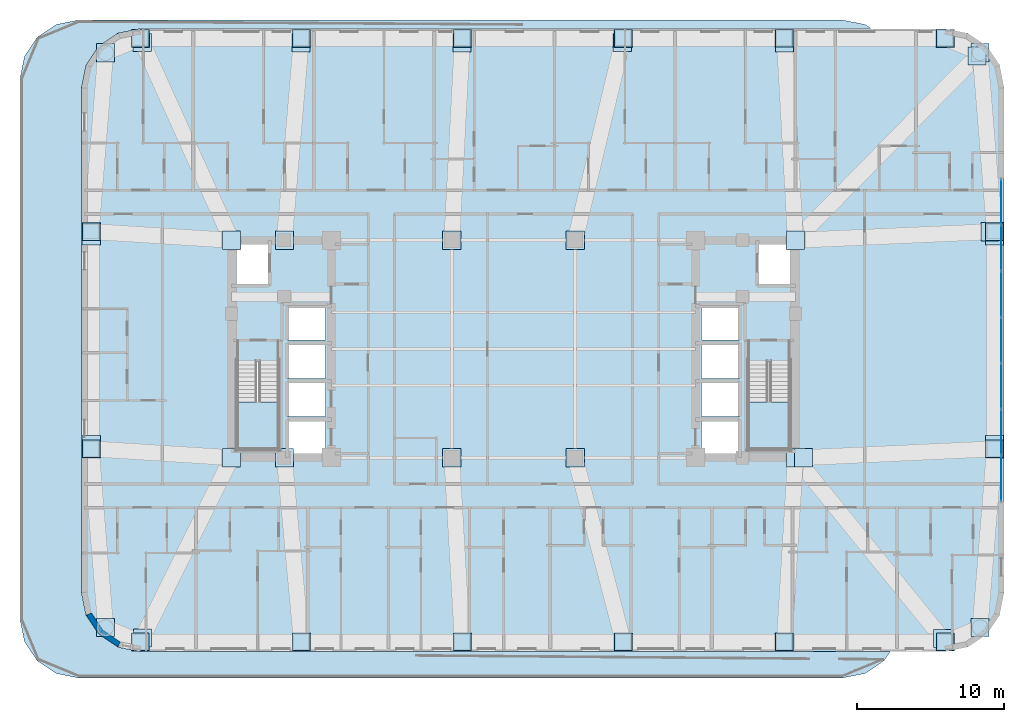
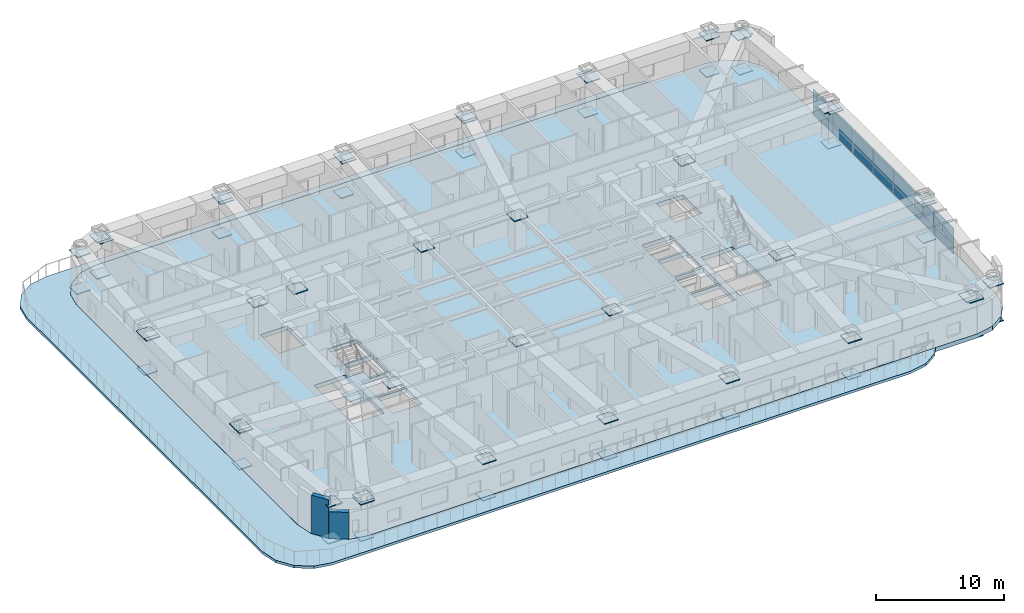
# One storey, part 5 of 18: 78 plates, 4 slabs, 2 walls, 3 elements without a shape of their own.
"""IFC4 building model written with IfcOpenShell, lengths in metres."""

from ifc_helpers import new_model, si_unit, direction, frame, frame_2d, origin, origin_2d, place, context, subcontext, project, spatial, polyline, rectangle, outline, extrude, material, layer, layer_set, type_object, element, aggregate, save


model = new_model("IFC4")

# Units and contexts
model_context = context("Model", 3, precision=1e-05, world=origin(), true_north=direction((0.0, 1.0)))
body_context = subcontext(model_context, "Body", "Model", "MODEL_VIEW")
ifc_project = project(units=[si_unit("LENGTHUNIT", "METRE"), si_unit("AREAUNIT", "SQUARE_METRE"), si_unit("VOLUMEUNIT", "CUBIC_METRE"), si_unit("PLANEANGLEUNIT", "RADIAN"), si_unit("MASSUNIT", "GRAM", prefix="KILO")], contexts=[model_context])

# Site, building, storey
site_placement = place(None, origin())
site = spatial("IfcSite", under=ifc_project, at=site_placement, CompositionType="ELEMENT")
building_placement = place(site_placement, origin())
building = spatial("IfcBuilding", under=site, at=building_placement, Name="Voryun Gate Residences", CompositionType="ELEMENT")
storey_placement = place(building_placement, frame((0.0, 0.0, 85.800048828125)))
storey = spatial("IfcBuildingStorey", under=building, at=storey_placement, Name="L20", CompositionType="ELEMENT", Elevation=85.800048828125)

# Plates
ifc_material_1 = material(Name="Steel SM355", Category="steel")
ifc_layer_1 = layer(ifc_material_1, 0.02490234375, Name="PLT_END_CAP_25")
ifc_layer_set_1 = layer_set([ifc_layer_1], Name="Steel SM355")
plate_type_1 = type_object("IfcPlateType", Name="PLT_END_CAP_25", PredefinedType="USERDEFINED", material=ifc_layer_set_1)
for number, where, z_axis, x_axis, name in (
    (1, (-25.39990234375, -19.949951171875, -0.440185546875), (0.0, 0.0, 1.0), (1.0, 0.0, 0.0), "L20 Hollow Member End-Cap Plate EC-262"),
    (2, (-14.43994140625, -19.949951171875, -0.440185546875), (0.0, 0.0, 1.0), (1.0, 0.0, 0.0), "L20 Hollow Member End-Cap Plate EC-263"),
    (3, (-3.47998046875, -19.949951171875, -0.440185546875), (0.0, 0.0, 1.0), (1.0, 0.0, 0.0), "L20 Hollow Member End-Cap Plate EC-264"),
    (4, (7.47998046875, -19.949951171875, -0.440185546875), (0.0, 0.0, 1.0), (1.0, 0.0, 0.0), "L20 Hollow Member End-Cap Plate EC-265"),
    (5, (18.43994140625, -19.949951171875, -0.440185546875), (0.0, 0.0, 1.0), (1.0, 0.0, 0.0), "L20 Hollow Member End-Cap Plate EC-266"),
    (6, (29.39990234375, -19.949951171875, -0.440185546875), (0.0, 0.0, 1.0), (1.0, 0.0, 0.0), "L20 Hollow Member End-Cap Plate EC-267"),
):
    element("IfcPlate", number, at=place(storey_placement, frame(where, z_axis=z_axis, x_axis=x_axis)), inside=storey, type_object=plate_type_1, Name=name, ObjectType="BASE_PLATE", PredefinedType="USERDEFINED", context=body_context, shape_type="SweptSolid", body=[
        extrude(rectangle(XDim=1.18994140625, YDim=1.18994140625, at=origin_2d()), origin(), (0.0, 0.0, 1.0), 0.080078125),
    ])
plate_1_placement = place(storey_placement, frame((31.768798828125, -18.96875, -0.440185546875), z_axis=(0.0, 0.0, 1.0), x_axis=(1.0, 0.0, 0.0)))
element("IfcPlate", 7, at=plate_1_placement, inside=storey, type_object=plate_type_1, Name="L20 Hollow Member End-Cap Plate EC-268", ObjectType="BASE_PLATE", PredefinedType="USERDEFINED", context=body_context, shape_type="SweptSolid", body=[
    extrude(rectangle(XDim=1.239990234375, YDim=1.239990234375, at=origin_2d()), origin(), (0.0, 0.0, 1.0), 0.080078125),
])
for number, where, z_axis, x_axis, name in (
    (8, (32.75, -6.798095703125, -0.440185546875), (0.0, 0.0, 1.0), (1.0, 0.0, 0.0), "L20 Hollow Member End-Cap Plate EC-269"),
    (9, (32.75, 7.998046875, -0.440185546875), (0.0, 0.0, 1.0), (1.0, 0.0, 0.0), "L20 Hollow Member End-Cap Plate EC-270"),
):
    element("IfcPlate", number, at=place(storey_placement, frame(where, z_axis=z_axis, x_axis=x_axis)), inside=storey, type_object=plate_type_1, Name=name, ObjectType="BASE_PLATE", PredefinedType="USERDEFINED", context=body_context, shape_type="SweptSolid", body=[
        extrude(rectangle(XDim=1.18994140625, YDim=1.18994140625, at=origin_2d()), origin(), (0.0, 0.0, 1.0), 0.080078125),
    ])
plate_2_placement = place(storey_placement, frame((31.768798828125, 20.168701171875, -0.440185546875), z_axis=(0.0, 0.0, 1.0), x_axis=(1.0, 0.0, 0.0)))
element("IfcPlate", 10, at=plate_2_placement, inside=storey, type_object=plate_type_1, Name="L20 Hollow Member End-Cap Plate EC-271", ObjectType="BASE_PLATE", PredefinedType="USERDEFINED", context=body_context, shape_type="SweptSolid", body=[
    extrude(rectangle(XDim=1.239990234375, YDim=1.239990234375, at=origin_2d()), origin(), (0.0, 0.0, 1.0), 0.080078125),
])
for number, where, z_axis, x_axis, name in (
    (11, (29.39990234375, 21.14990234375, -0.440185546875), (0.0, 0.0, 1.0), (1.0, 0.0, 0.0), "L20 Hollow Member End-Cap Plate EC-272"),
    (12, (18.43994140625, 21.14990234375, -0.440185546875), (0.0, 0.0, 1.0), (1.0, 0.0, 0.0), "L20 Hollow Member End-Cap Plate EC-273"),
    (13, (7.47998046875, 21.14990234375, -0.440185546875), (0.0, 0.0, 1.0), (1.0, 0.0, 0.0), "L20 Hollow Member End-Cap Plate EC-274"),
    (14, (-3.47998046875, 21.14990234375, -0.440185546875), (0.0, 0.0, 1.0), (1.0, 0.0, 0.0), "L20 Hollow Member End-Cap Plate EC-275"),
    (15, (-14.43994140625, 21.14990234375, -0.440185546875), (0.0, 0.0, 1.0), (1.0, 0.0, 0.0), "L20 Hollow Member End-Cap Plate EC-276"),
    (16, (-25.39990234375, 21.14990234375, -0.440185546875), (0.0, 0.0, 1.0), (1.0, 0.0, 0.0), "L20 Hollow Member End-Cap Plate EC-277"),
):
    element("IfcPlate", number, at=place(storey_placement, frame(where, z_axis=z_axis, x_axis=x_axis)), inside=storey, type_object=plate_type_1, Name=name, ObjectType="BASE_PLATE", PredefinedType="USERDEFINED", context=body_context, shape_type="SweptSolid", body=[
        extrude(rectangle(XDim=1.18994140625, YDim=1.18994140625, at=origin_2d()), origin(), (0.0, 0.0, 1.0), 0.080078125),
    ])
plate_3_placement = place(storey_placement, frame((-27.768798828125, 20.168701171875, -0.440185546875), z_axis=(0.0, 0.0, 1.0), x_axis=(1.0, 0.0, 0.0)))
element("IfcPlate", 17, at=plate_3_placement, inside=storey, type_object=plate_type_1, Name="L20 Hollow Member End-Cap Plate EC-278", ObjectType="BASE_PLATE", PredefinedType="USERDEFINED", context=body_context, shape_type="SweptSolid", body=[
    extrude(rectangle(XDim=1.239990234375, YDim=1.239990234375, at=origin_2d()), origin(), (0.0, 0.0, 1.0), 0.080078125),
])
for number, where, z_axis, x_axis, name in (
    (18, (-28.75, 7.998046875, -0.440185546875), (0.0, 0.0, 1.0), (1.0, 0.0, 0.0), "L20 Hollow Member End-Cap Plate EC-279"),
    (19, (-28.75, -6.798095703125, -0.440185546875), (0.0, 0.0, 1.0), (1.0, 0.0, 0.0), "L20 Hollow Member End-Cap Plate EC-280"),
):
    element("IfcPlate", number, at=place(storey_placement, frame(where, z_axis=z_axis, x_axis=x_axis)), inside=storey, type_object=plate_type_1, Name=name, ObjectType="BASE_PLATE", PredefinedType="USERDEFINED", context=body_context, shape_type="SweptSolid", body=[
        extrude(rectangle(XDim=1.18994140625, YDim=1.18994140625, at=origin_2d()), origin(), (0.0, 0.0, 1.0), 0.080078125),
    ])
for number, where, z_axis, x_axis, name in (
    (20, (-27.768798828125, -18.96875, -0.440185546875), (0.0, 0.0, 1.0), (1.0, 0.0, 0.0), "L20 Hollow Member End-Cap Plate EC-281"),
    (21, (-25.39990234375, -19.949951171875, 3.059814453125), (0.0, 0.0, 1.0), (1.0, 0.0, 0.0), "L20 Hollow Member End-Cap Plate EC-282"),
    (22, (-14.43994140625, -19.949951171875, 3.059814453125), (0.0, 0.0, 1.0), (1.0, 0.0, 0.0), "L20 Hollow Member End-Cap Plate EC-283"),
    (23, (-3.47998046875, -19.949951171875, 3.059814453125), (0.0, 0.0, 1.0), (1.0, 0.0, 0.0), "L20 Hollow Member End-Cap Plate EC-284"),
    (24, (7.47998046875, -19.949951171875, 3.059814453125), (0.0, 0.0, 1.0), (1.0, 0.0, 0.0), "L20 Hollow Member End-Cap Plate EC-285"),
    (25, (18.43994140625, -19.949951171875, 3.059814453125), (0.0, 0.0, 1.0), (1.0, 0.0, 0.0), "L20 Hollow Member End-Cap Plate EC-286"),
    (26, (29.39990234375, -19.949951171875, 3.059814453125), (0.0, 0.0, 1.0), (1.0, 0.0, 0.0), "L20 Hollow Member End-Cap Plate EC-287"),
    (27, (31.768798828125, -18.96875, 3.059814453125), (0.0, 0.0, 1.0), (1.0, 0.0, 0.0), "L20 Hollow Member End-Cap Plate EC-288"),
    (28, (32.75, -6.798095703125, 3.059814453125), (0.0, 0.0, 1.0), (1.0, 0.0, 0.0), "L20 Hollow Member End-Cap Plate EC-289"),
    (29, (32.75, -6.498046875, 3.059814453125), (0.0, 0.0, 1.0), (1.0, 0.0, 0.0), "L20 Hollow Member End-Cap Plate EC-290"),
    (30, (32.75, 7.697998046875, 3.059814453125), (0.0, 0.0, 1.0), (1.0, 0.0, 0.0), "L20 Hollow Member End-Cap Plate EC-291"),
    (31, (32.75, 7.998046875, 3.059814453125), (0.0, 0.0, 1.0), (1.0, 0.0, 0.0), "L20 Hollow Member End-Cap Plate EC-292"),
    (32, (31.768798828125, 20.168701171875, 3.059814453125), (0.0, 0.0, 1.0), (1.0, 0.0, 0.0), "L20 Hollow Member End-Cap Plate EC-293"),
    (33, (29.39990234375, 21.14990234375, 3.059814453125), (0.0, 0.0, 1.0), (1.0, 0.0, 0.0), "L20 Hollow Member End-Cap Plate EC-294"),
    (34, (18.43994140625, 21.14990234375, 3.059814453125), (0.0, 0.0, 1.0), (1.0, 0.0, 0.0), "L20 Hollow Member End-Cap Plate EC-295"),
    (35, (7.47998046875, 21.14990234375, 3.059814453125), (0.0, 0.0, 1.0), (1.0, 0.0, 0.0), "L20 Hollow Member End-Cap Plate EC-296"),
    (36, (-3.47998046875, 21.14990234375, 3.059814453125), (0.0, 0.0, 1.0), (1.0, 0.0, 0.0), "L20 Hollow Member End-Cap Plate EC-297"),
    (37, (-14.43994140625, 21.14990234375, 3.059814453125), (0.0, 0.0, 1.0), (1.0, 0.0, 0.0), "L20 Hollow Member End-Cap Plate EC-298"),
    (38, (-25.39990234375, 21.14990234375, 3.059814453125), (0.0, 0.0, 1.0), (1.0, 0.0, 0.0), "L20 Hollow Member End-Cap Plate EC-299"),
    (39, (-27.768798828125, 20.168701171875, 3.059814453125), (0.0, 0.0, 1.0), (1.0, 0.0, 0.0), "L20 Hollow Member End-Cap Plate EC-300"),
    (40, (-28.75, 7.998046875, 3.059814453125), (0.0, 0.0, 1.0), (1.0, 0.0, 0.0), "L20 Hollow Member End-Cap Plate EC-301"),
    (41, (-28.75, 7.697998046875, 3.059814453125), (0.0, 0.0, 1.0), (1.0, 0.0, 0.0), "L20 Hollow Member End-Cap Plate EC-302"),
    (42, (-28.75, -6.498046875, 3.059814453125), (0.0, 0.0, 1.0), (1.0, 0.0, 0.0), "L20 Hollow Member End-Cap Plate EC-303"),
    (43, (-28.75, -6.798095703125, 3.059814453125), (0.0, 0.0, 1.0), (1.0, 0.0, 0.0), "L20 Hollow Member End-Cap Plate EC-304"),
    (44, (-27.768798828125, -18.96875, 3.059814453125), (0.0, 0.0, 1.0), (1.0, 0.0, 0.0), "L20 Hollow Member End-Cap Plate EC-305"),
    (45, (-19.199951171875, -7.39990234375, 3.059814453125), (0.0, 0.0, 1.0), (1.0, 0.0, 0.0), "L20 Hollow Member End-Cap Plate EC-306"),
    (46, (-25.26708984375, -19.680908203125, 3.059814453125), (0.0, 0.0, 1.0), (1.0, 0.0, 0.0), "L20 Hollow Member End-Cap Plate EC-307"),
    (47, (-15.60009765625, -7.39990234375, 3.059814453125), (0.0, 0.0, 1.0), (1.0, 0.0, 0.0), "L20 Hollow Member End-Cap Plate EC-308"),
    (48, (-4.199951171875, -7.39990234375, 3.059814453125), (0.0, 0.0, 1.0), (1.0, 0.0, 0.0), "L20 Hollow Member End-Cap Plate EC-309"),
    (49, (4.199951171875, -7.39990234375, 3.059814453125), (0.0, 0.0, 1.0), (1.0, 0.0, 0.0), "L20 Hollow Member End-Cap Plate EC-310"),
    (50, (19.199951171875, -7.39990234375, 3.059814453125), (0.0, 0.0, 1.0), (1.0, 0.0, 0.0), "L20 Hollow Member End-Cap Plate EC-311"),
    (51, (29.210693359375, -19.71728515625, 3.059814453125), (0.0, 0.0, 1.0), (1.0, 0.0, 0.0), "L20 Hollow Member End-Cap Plate EC-312"),
    (52, (19.75, -7.39990234375, 3.059814453125), (0.0, 0.0, 1.0), (1.0, 0.0, 0.0), "L20 Hollow Member End-Cap Plate EC-313"),
    (53, (19.199951171875, 7.39990234375, 3.059814453125), (0.0, 0.0, 1.0), (1.0, 0.0, 0.0), "L20 Hollow Member End-Cap Plate EC-314"),
    (54, (32.4501953125, 7.98486328125, 3.059814453125), (0.0, 0.0, 1.0), (1.0, 0.0, 0.0), "L20 Hollow Member End-Cap Plate EC-315"),
    (55, (31.558349609375, 19.955078125, 3.059814453125), (0.0, 0.0, 1.0), (1.0, 0.0, 0.0), "L20 Hollow Member End-Cap Plate EC-316"),
    (56, (18.45654296875, 20.8505859375, 3.059814453125), (0.0, 0.0, 1.0), (1.0, 0.0, 0.0), "L20 Hollow Member End-Cap Plate EC-317"),
    (57, (4.199951171875, 7.39990234375, 3.059814453125), (0.0, 0.0, 1.0), (1.0, 0.0, 0.0), "L20 Hollow Member End-Cap Plate EC-318"),
    (58, (7.410400390625, 20.858154296875, 3.059814453125), (0.0, 0.0, 1.0), (1.0, 0.0, 0.0), "L20 Hollow Member End-Cap Plate EC-319"),
    (59, (-4.199951171875, 7.39990234375, 3.059814453125), (0.0, 0.0, 1.0), (1.0, 0.0, 0.0), "L20 Hollow Member End-Cap Plate EC-320"),
    (60, (-3.49560546875, 20.850341796875, 3.059814453125), (0.0, 0.0, 1.0), (1.0, 0.0, 0.0), "L20 Hollow Member End-Cap Plate EC-321"),
    (61, (-15.60009765625, 7.39990234375, 3.059814453125), (0.0, 0.0, 1.0), (1.0, 0.0, 0.0), "L20 Hollow Member End-Cap Plate EC-322"),
    (62, (-14.465087890625, 20.85107421875, 3.059814453125), (0.0, 0.0, 1.0), (1.0, 0.0, 0.0), "L20 Hollow Member End-Cap Plate EC-323"),
    (63, (-19.199951171875, 7.39990234375, 3.059814453125), (0.0, 0.0, 1.0), (1.0, 0.0, 0.0), "L20 Hollow Member End-Cap Plate EC-324"),
    (64, (-25.276611328125, 20.87646484375, 3.059814453125), (0.0, 0.0, 1.0), (1.0, 0.0, 0.0), "L20 Hollow Member End-Cap Plate EC-325"),
):
    element("IfcPlate", number, at=place(storey_placement, frame(where, z_axis=z_axis, x_axis=x_axis)), inside=storey, type_object=plate_type_1, Name=name, ObjectType="BASE_PLATE", PredefinedType="USERDEFINED", context=body_context, shape_type="SweptSolid", body=[
        extrude(rectangle(XDim=1.239990234375, YDim=1.239990234375, at=origin_2d()), origin(), (0.0, 0.0, 1.0), 0.080078125),
    ])

# Curtain wall, plates
ifc_material_2 = material(Name="Anodised aluminium", Category="aluminium")
ifc_layer_2 = layer(ifc_material_2, 0.2099609375, Name="CW_SYS_SKYGARDEN_DARK_GLASS")
ifc_layer_set_2 = layer_set([ifc_layer_2], Name="Anodised aluminium")
curtain_wall_type = type_object("IfcCurtainWallType", Name="CW_SYS_SKYGARDEN_DARK_GLASS", PredefinedType="NOTDEFINED", material=ifc_layer_set_2)
curtain_wall_placement = place(storey_placement, origin())
curtain_wall = element("IfcCurtainWall", 65, at=curtain_wall_placement, inside=storey, type_object=curtain_wall_type, Name="Curtain wall CW5-L20-SG-16", PredefinedType="NOTDEFINED")
ifc_material_3 = material(Name="Laminated low-E glass", Category="glass")
ifc_layer_3 = layer(ifc_material_3, 0.0458984375, Name="PLT_GLASS_DARK_SKY")
ifc_layer_set_3 = layer_set([ifc_layer_3], Name="Laminated low-E glass")
plate_type_2 = type_object("IfcPlateType", Name="PLT_GLASS_DARK_SKY", PredefinedType="CURTAIN_PANEL", material=ifc_layer_set_3)
plate_4_placement = place(storey_placement, frame((33.2099609375, 10.01025390625, 0.06005859375), z_axis=(0.0, 0.0, 1.0), x_axis=(0.0, -1.0, 0.0)))
plate_4 = element("IfcPlate", 66, at=plate_4_placement, type_object=plate_type_2, Name="CW5 panel 1.1", PredefinedType="CURTAIN_PANEL", context=body_context, shape_type="SweptSolid", body=[
    extrude(rectangle(XDim=3.0517578125, YDim=0.028076171875, at=origin_2d()), origin(), (0.0, 0.0, 1.0), 0.824462890625),
])
plate_5_placement = place(storey_placement, frame((33.2099609375, 10.01025390625, 0.9443359375), z_axis=(0.0, 0.0, 1.0), x_axis=(0.0, -1.0, 0.0)))
plate_5 = element("IfcPlate", 67, at=plate_5_placement, type_object=plate_type_2, Name="CW5 panel 1.2", PredefinedType="CURTAIN_PANEL", context=body_context, shape_type="SweptSolid", body=[
    extrude(rectangle(XDim=3.0517578125, YDim=0.028076171875, at=origin_2d()), origin(), (0.0, 0.0, 1.0), 1.53564453125),
])
plate_6_placement = place(storey_placement, frame((33.2099609375, 6.883544921875, 0.06005859375), z_axis=(0.0, 0.0, 1.0), x_axis=(0.0, -1.0, 0.0)))
plate_6 = element("IfcPlate", 68, at=plate_6_placement, type_object=plate_type_2, Name="CW5 panel 2.1", PredefinedType="CURTAIN_PANEL", context=body_context, shape_type="SweptSolid", body=[
    extrude(rectangle(XDim=3.081787109375, YDim=0.028076171875, at=origin_2d()), origin(), (0.0, 0.0, 1.0), 0.824462890625),
])
plate_7_placement = place(storey_placement, frame((33.2099609375, 6.883544921875, 0.9443359375), z_axis=(0.0, 0.0, 1.0), x_axis=(0.0, -1.0, 0.0)))
plate_7 = element("IfcPlate", 69, at=plate_7_placement, type_object=plate_type_2, Name="CW5 panel 2.2", PredefinedType="CURTAIN_PANEL", context=body_context, shape_type="SweptSolid", body=[
    extrude(rectangle(XDim=3.081787109375, YDim=0.028076171875, at=origin_2d()), origin(), (0.0, 0.0, 1.0), 1.53564453125),
])
plate_8_placement = place(storey_placement, frame((33.2099609375, 3.74169921875, 0.06005859375), z_axis=(0.0, 0.0, 1.0), x_axis=(0.0, -1.0, 0.0)))
plate_8 = element("IfcPlate", 70, at=plate_8_placement, type_object=plate_type_2, Name="CW5 panel 3.1", PredefinedType="CURTAIN_PANEL", context=body_context, shape_type="SweptSolid", body=[
    extrude(rectangle(XDim=3.081787109375, YDim=0.028076171875, at=origin_2d()), origin(), (0.0, 0.0, 1.0), 0.824462890625),
])
plate_9_placement = place(storey_placement, frame((33.2099609375, 3.74169921875, 0.9443359375), z_axis=(0.0, 0.0, 1.0), x_axis=(0.0, -1.0, 0.0)))
plate_9 = element("IfcPlate", 71, at=plate_9_placement, type_object=plate_type_2, Name="CW5 panel 3.2", PredefinedType="CURTAIN_PANEL", context=body_context, shape_type="SweptSolid", body=[
    extrude(rectangle(XDim=3.081787109375, YDim=0.028076171875, at=origin_2d()), origin(), (0.0, 0.0, 1.0), 1.53564453125),
])
plate_10_placement = place(storey_placement, frame((33.2099609375, 0.60009765625, 0.06005859375), z_axis=(0.0, 0.0, 1.0), x_axis=(0.0, -1.0, 0.0)))
plate_10 = element("IfcPlate", 72, at=plate_10_placement, type_object=plate_type_2, Name="CW5 panel 4.1", PredefinedType="CURTAIN_PANEL", context=body_context, shape_type="SweptSolid", body=[
    extrude(rectangle(XDim=3.081787109375, YDim=0.028076171875, at=origin_2d()), origin(), (0.0, 0.0, 1.0), 0.824462890625),
])
plate_11_placement = place(storey_placement, frame((33.2099609375, 0.60009765625, 0.9443359375), z_axis=(0.0, 0.0, 1.0), x_axis=(0.0, -1.0, 0.0)))
plate_11 = element("IfcPlate", 73, at=plate_11_placement, type_object=plate_type_2, Name="CW5 panel 4.2", PredefinedType="CURTAIN_PANEL", context=body_context, shape_type="SweptSolid", body=[
    extrude(rectangle(XDim=3.081787109375, YDim=0.028076171875, at=origin_2d()), origin(), (0.0, 0.0, 1.0), 1.53564453125),
])
plate_12_placement = place(storey_placement, frame((33.2099609375, -2.541748046875, 0.06005859375), z_axis=(0.0, 0.0, 1.0), x_axis=(0.0, -1.0, 0.0)))
plate_12 = element("IfcPlate", 74, at=plate_12_placement, type_object=plate_type_2, Name="CW5 panel 5.1", PredefinedType="CURTAIN_PANEL", context=body_context, shape_type="SweptSolid", body=[
    extrude(rectangle(XDim=3.081787109375, YDim=0.028076171875, at=origin_2d()), origin(), (0.0, 0.0, 1.0), 0.824462890625),
])
plate_13_placement = place(storey_placement, frame((33.2099609375, -2.541748046875, 0.9443359375), z_axis=(0.0, 0.0, 1.0), x_axis=(0.0, -1.0, 0.0)))
plate_13 = element("IfcPlate", 75, at=plate_13_placement, type_object=plate_type_2, Name="CW5 panel 5.2", PredefinedType="CURTAIN_PANEL", context=body_context, shape_type="SweptSolid", body=[
    extrude(rectangle(XDim=3.081787109375, YDim=0.028076171875, at=origin_2d()), origin(), (0.0, 0.0, 1.0), 1.53564453125),
])
plate_14_placement = place(storey_placement, frame((33.2099609375, -5.683349609375, 0.06005859375), z_axis=(0.0, 0.0, 1.0), x_axis=(0.0, -1.0, 0.0)))
plate_14 = element("IfcPlate", 76, at=plate_14_placement, type_object=plate_type_2, Name="CW5 panel 6.1", PredefinedType="CURTAIN_PANEL", context=body_context, shape_type="SweptSolid", body=[
    extrude(rectangle(XDim=3.081787109375, YDim=0.028076171875, at=origin_2d()), origin(), (0.0, 0.0, 1.0), 0.824462890625),
])
plate_15_placement = place(storey_placement, frame((33.2099609375, -5.683349609375, 0.9443359375), z_axis=(0.0, 0.0, 1.0), x_axis=(0.0, -1.0, 0.0)))
plate_15 = element("IfcPlate", 77, at=plate_15_placement, type_object=plate_type_2, Name="CW5 panel 6.2", PredefinedType="CURTAIN_PANEL", context=body_context, shape_type="SweptSolid", body=[
    extrude(rectangle(XDim=3.081787109375, YDim=0.028076171875, at=origin_2d()), origin(), (0.0, 0.0, 1.0), 1.53564453125),
])
plate_16_placement = place(storey_placement, frame((33.2099609375, -8.81005859375, 0.06005859375), z_axis=(0.0, 0.0, 1.0), x_axis=(0.0, -1.0, 0.0)))
plate_16 = element("IfcPlate", 78, at=plate_16_placement, type_object=plate_type_2, Name="CW5 panel 7.1", PredefinedType="CURTAIN_PANEL", context=body_context, shape_type="SweptSolid", body=[
    extrude(rectangle(XDim=3.0517578125, YDim=0.028076171875, at=origin_2d()), origin(), (0.0, 0.0, 1.0), 0.824462890625),
])
plate_17_placement = place(storey_placement, frame((33.2099609375, -8.81005859375, 0.9443359375), z_axis=(0.0, 0.0, 1.0), x_axis=(0.0, -1.0, 0.0)))
plate_17 = element("IfcPlate", 79, at=plate_17_placement, type_object=plate_type_2, Name="CW5 panel 7.2", PredefinedType="CURTAIN_PANEL", context=body_context, shape_type="SweptSolid", body=[
    extrude(rectangle(XDim=3.0517578125, YDim=0.028076171875, at=origin_2d()), origin(), (0.0, 0.0, 1.0), 1.53564453125),
])
aggregate(curtain_wall, [plate_4, plate_5, plate_6, plate_7, plate_8, plate_9, plate_10, plate_11, plate_12, plate_13, plate_14, plate_15, plate_16, plate_17])

# Stair, slab
ifc_material_4 = material(Name="Concrete C40/50", Category="concrete")
stair_type = type_object("IfcStairType", Name="STR_CORE_DOGLEG_1350", PredefinedType="HALF_TURN_STAIR", material=ifc_material_4)
stair_1_placement = place(storey_placement, origin())
stair_1 = element("IfcStair", 80, at=stair_1_placement, inside=storey, type_object=stair_type, Name="L20 Special Escape Stair ST-W1", PredefinedType="HALF_TURN_STAIR")
ifc_material_5 = material(Name="Concrete C40/50", Category="concrete")
ifc_layer_4 = layer(ifc_material_5, 0.199951171875, Name="SLB_STAIR_LANDING_200")
ifc_layer_set_4 = layer_set([ifc_layer_4], Name="Concrete C40/50")
slab_type_1 = type_object("IfcSlabType", Name="SLB_STAIR_LANDING_200", PredefinedType="LANDING", material=ifc_layer_set_4)
slab_1_placement = place(storey_placement, frame((0.0, 0.0, 1.75)))
slab_1 = element("IfcSlab", 81, at=slab_1_placement, type_object=slab_type_1, Name="ST-W1 landing 1", PredefinedType="LANDING", context=body_context, shape_type="SweptSolid", body=[
    extrude(outline(polyline([(-18.824951171875, -3.60009765625), (-18.824951171875, -6.85009765625), (-15.97509765625, -6.85009765625), (-15.97509765625, -3.60009765625), (-18.824951171875, -3.60009765625)])), origin(), (0.0, 0.0, 1.0), 0.199951171875),
])
aggregate(stair_1, [slab_1])

stair_2_placement = place(storey_placement, origin())
stair_2 = element("IfcStair", 82, at=stair_2_placement, inside=storey, type_object=stair_type, Name="L20 Special Escape Stair ST-E1", PredefinedType="HALF_TURN_STAIR")
slab_2_placement = place(storey_placement, frame((0.0, 0.0, 1.75)))
slab_2 = element("IfcSlab", 83, at=slab_2_placement, type_object=slab_type_1, Name="ST-E1 landing 1", PredefinedType="LANDING", context=body_context, shape_type="SweptSolid", body=[
    extrude(outline(polyline([(15.97509765625, -3.60009765625), (15.97509765625, -6.85009765625), (18.824951171875, -6.85009765625), (18.824951171875, -3.60009765625), (15.97509765625, -3.60009765625)])), origin(), (0.0, 0.0, 1.0), 0.199951171875),
])
aggregate(stair_2, [slab_2])

# Slabs
ifc_material_6 = material(Name="Concrete C40/50", Category="concrete")
ifc_layer_5 = layer(ifc_material_6, 0.239990234375, Name="SLB_TERRACE_ROOF_240")
ifc_layer_set_5 = layer_set([ifc_layer_5], Name="Concrete C40/50")
slab_type_2 = type_object("IfcSlabType", Name="SLB_TERRACE_ROOF_240", PredefinedType="ROOF", material=ifc_layer_set_5)
slab_3_placement = place(storey_placement, frame((0.0, 0.0, -0.239990234375)))
element("IfcSlab", 84, at=slab_3_placement, inside=storey, type_object=slab_type_2, Name="Spiralling Setback Sky-Garden Terrace Roof 1", PredefinedType="ROOF", context=body_context, shape_type="SweptSolid", body=[
    extrude(outline(polyline([(25.228515625, -21.228515625), (23.9306640625, -22.095458984375), (22.39990234375, -22.39990234375), (-29.60009765625, -22.39990234375), (-31.130615234375, -22.095458984375), (-32.428466796875, -21.228515625), (-33.29541015625, -19.9306640625), (-33.60009765625, -18.39990234375), (-33.60009765625, 18.39990234375), (-33.29541015625, 19.9306640625), (-32.428466796875, 21.228515625), (-31.130615234375, 22.095458984375), (-29.60009765625, 22.39990234375), (22.39990234375, 22.39990234375), (23.9306640625, 22.095458984375), (24.365478515625, 21.804931640625), (-25.39990234375, 21.804931640625), (-25.400390625, 21.804931640625), (-25.40087890625, 21.804931640625), (-26.931640625, 21.50048828125), (-26.93212890625, 21.500244140625), (-26.9326171875, 21.500244140625), (-26.93310546875, 21.5), (-26.93359375, 21.499755859375), (-28.231201171875, 20.632568359375), (-28.231689453125, 20.63232421875), (-28.23193359375, 20.632080078125), (-28.232177734375, 20.631591796875), (-28.232666015625, 20.631103515625), (-29.099609375, 19.33349609375), (-29.099853515625, 19.3330078125), (-29.10009765625, 19.332763671875), (-29.100341796875, 19.332275390625), (-29.100341796875, 19.331787109375), (-29.40478515625, 17.801025390625), (-29.405029296875, 17.800537109375), (-29.405029296875, 17.800048828125), (-29.405029296875, -16.60009765625), (-29.405029296875, -16.6005859375), (-29.40478515625, -16.60107421875), (-29.100341796875, -18.131591796875), (-29.100341796875, -18.132080078125), (-29.10009765625, -18.132568359375), (-29.099853515625, -18.133056640625), (-29.099609375, -18.133544921875), (-28.232666015625, -19.43115234375), (-28.232177734375, -19.431640625), (-28.23193359375, -19.431884765625), (-28.231689453125, -19.432373046875), (-28.231201171875, -19.4326171875), (-26.93359375, -20.299560546875), (-26.93310546875, -20.300048828125), (-26.9326171875, -20.300048828125), (-26.93212890625, -20.30029296875), (-26.931640625, -20.300537109375), (-25.40087890625, -20.60498046875), (-25.400390625, -20.60498046875), (-25.39990234375, -20.60498046875), (25.64501953125, -20.60498046875), (25.228515625, -21.228515625)])), origin(), (0.0, 0.0, 1.0), 0.239990234375),
])
ifc_material_7 = material(Name="Concrete C50/60", Category="concrete")
ifc_layer_6 = layer(ifc_material_7, 0.39990234375, Name="SLB_XFER_400")
ifc_layer_set_6 = layer_set([ifc_layer_6], Name="Concrete C50/60")
slab_type_3 = type_object("IfcSlabType", Name="SLB_XFER_400", PredefinedType="FLOOR", material=ifc_layer_set_6)
slab_4_placement = place(storey_placement, frame((0.0, 0.0, -0.400146484375)))
element("IfcSlab", 85, at=slab_4_placement, inside=storey, type_object=slab_type_3, Name="L20 Structural Floor Slab", PredefinedType="FLOOR", context=body_context, shape_type="SweptSolid", body=[
    extrude(outline(polyline([(-25.39990234375, -20.60009765625), (-26.9306640625, -20.29541015625), (-28.228515625, -19.428466796875), (-29.095458984375, -18.130615234375), (-29.39990234375, -16.60009765625), (-29.39990234375, 17.800048828125), (-29.095458984375, 19.330810546875), (-28.228515625, 20.62841796875), (-26.9306640625, 21.49560546875), (-25.39990234375, 21.800048828125), (29.39990234375, 21.800048828125), (30.9306640625, 21.49560546875), (32.228515625, 20.62841796875), (33.095458984375, 19.330810546875), (33.39990234375, 17.800048828125), (33.39990234375, -16.60009765625), (33.095458984375, -18.130615234375), (32.228515625, -19.428466796875), (30.9306640625, -20.29541015625), (29.39990234375, -20.60009765625), (-25.39990234375, -20.60009765625)]), holes=[polyline([(-12.800048828125, -4.800048828125), (-15.39990234375, -4.800048828125), (-15.39990234375, -7.199951171875), (-12.800048828125, -7.199951171875), (-12.800048828125, -4.800048828125)]), polyline([(-18.824951171875, -6.85009765625), (-15.97509765625, -6.85009765625), (-15.97509765625, -0.840087890625), (-18.824951171875, -0.840087890625), (-18.824951171875, -6.85009765625)]), polyline([(-12.800048828125, -4.60009765625), (-12.800048828125, -2.199951171875), (-15.39990234375, -2.199951171875), (-15.39990234375, -4.60009765625), (-12.800048828125, -4.60009765625)]), polyline([(-12.800048828125, 0.39990234375), (-15.39990234375, 0.39990234375), (-15.39990234375, -2.0), (-12.800048828125, -2.0), (-12.800048828125, 0.39990234375)]), polyline([(-12.800048828125, 0.60009765625), (-12.800048828125, 2.89990234375), (-15.39990234375, 2.89990234375), (-15.39990234375, 0.60009765625), (-12.800048828125, 0.60009765625)]), polyline([(-16.60009765625, 4.300048828125), (-16.60009765625, 7.199951171875), (-19.0, 7.199951171875), (-19.0, 4.300048828125), (-16.60009765625, 4.300048828125)]), polyline([(15.39990234375, -4.800048828125), (12.800048828125, -4.800048828125), (12.800048828125, -7.199951171875), (15.39990234375, -7.199951171875), (15.39990234375, -4.800048828125)]), polyline([(15.97509765625, -6.85009765625), (18.824951171875, -6.85009765625), (18.824951171875, -0.840087890625), (15.97509765625, -0.840087890625), (15.97509765625, -6.85009765625)]), polyline([(15.39990234375, -4.60009765625), (15.39990234375, -2.199951171875), (12.800048828125, -2.199951171875), (12.800048828125, -4.60009765625), (15.39990234375, -4.60009765625)]), polyline([(15.39990234375, 0.39990234375), (12.800048828125, 0.39990234375), (12.800048828125, -2.0), (15.39990234375, -2.0), (15.39990234375, 0.39990234375)]), polyline([(15.39990234375, 0.60009765625), (15.39990234375, 2.89990234375), (12.800048828125, 2.89990234375), (12.800048828125, 0.60009765625), (15.39990234375, 0.60009765625)]), polyline([(19.0, 4.300048828125), (19.0, 7.199951171875), (16.60009765625, 7.199951171875), (16.60009765625, 4.300048828125), (19.0, 4.300048828125)])]), origin(), (0.0, 0.0, 1.0), 0.400146484375),
])

# Walls
ifc_material_8 = material(Name="Granite masonry", Category="masonry")
ifc_layer_7 = layer(ifc_material_8, 0.3798828125, Name="W_EXT_GRANITE_380")
ifc_layer_set_7 = layer_set([ifc_layer_7], Name="Granite masonry")
wall_type = type_object("IfcWallType", Name="W_EXT_GRANITE_380", PredefinedType="ELEMENTEDWALL", material=ifc_layer_set_7)
wall_1_placement = place(storey_placement, frame((-26.856689453125, -20.116455078125, 0.0), z_axis=(0.0, 0.0, 1.0), x_axis=(-0.831468045563, 0.555572577804, 0.0)))
element("IfcWall", 86, at=wall_1_placement, inside=storey, type_object=wall_type, Name="Exterior wall WEXT-L20-03", PredefinedType="ELEMENTEDWALL", context=body_context, shape_type="SweptSolid", body=[
    extrude(rectangle(XDim=1.48486328125, YDim=0.3798828125, at=frame_2d((0.742431640625, 0.0))), origin(), (0.0, 0.0, 1.0), 2.5400390625),
])
wall_2_placement = place(storey_placement, frame((-28.09130859375, -19.29150390625, 0.0), z_axis=(0.0, 0.0, 1.0), x_axis=(-0.555610286119, 0.831442848281, 0.0)))
element("IfcWall", 87, at=wall_2_placement, inside=storey, type_object=wall_type, Name="Exterior wall WEXT-L20-04", PredefinedType="ELEMENTEDWALL", context=body_context, shape_type="SweptSolid", body=[
    extrude(rectangle(XDim=1.485107421875, YDim=0.3798828125, at=frame_2d((0.74267578125, 0.0))), origin(), (0.0, 0.0, 1.0), 3.64990234375),
])

save(model, "model.ifc")
